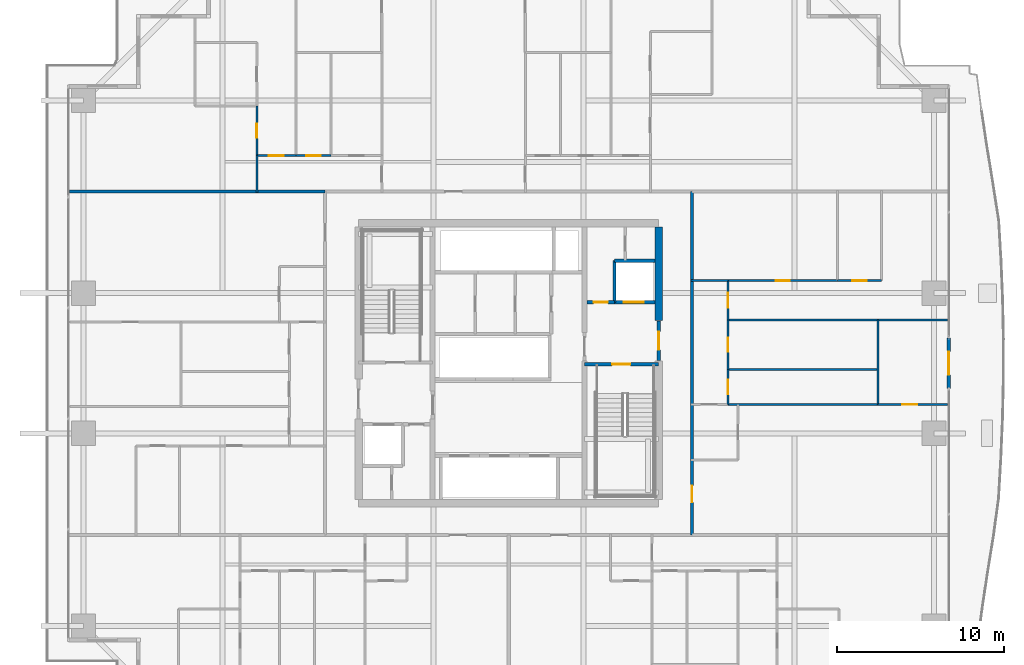
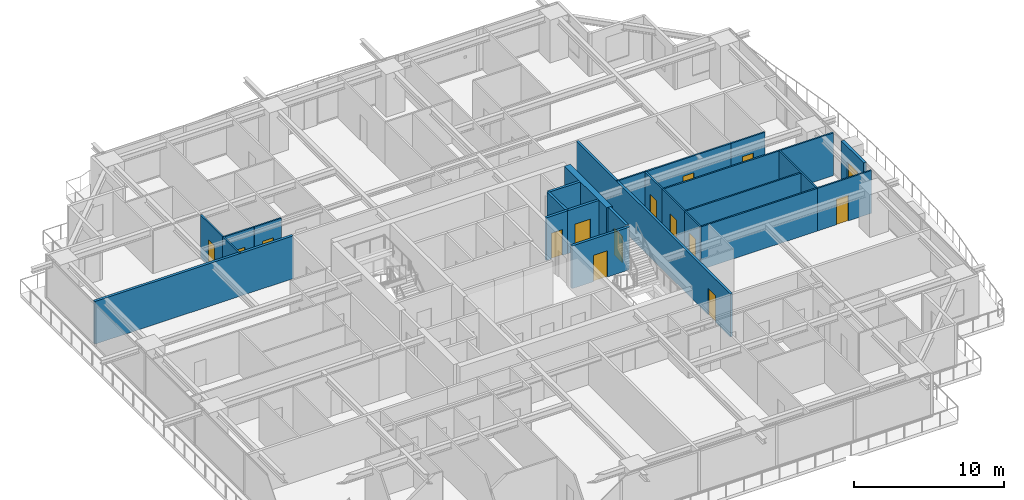
# One storey, part 30 of 39: 25 walls, 15 doors, 15 openings.
"""IFC4 building model written with IfcOpenShell, lengths in metres."""

from ifc_helpers import new_model, si_unit, direction, frame, frame_2d, origin, place, context, subcontext, project, spatial, rectangle, extrude, source, transform, mapped, material, layer, layer_set, type_object, element, fill, save


model = new_model("IFC4")

# Units and contexts
model_context = context("Model", 3, precision=1e-05, world=origin(), true_north=direction((0.0, 1.0)))
body_context = subcontext(model_context, "Body", "Model", "MODEL_VIEW")
ifc_project = project(units=[si_unit("LENGTHUNIT", "METRE"), si_unit("AREAUNIT", "SQUARE_METRE"), si_unit("VOLUMEUNIT", "CUBIC_METRE"), si_unit("PLANEANGLEUNIT", "RADIAN"), si_unit("MASSUNIT", "GRAM", prefix="KILO")], contexts=[model_context])

# Site, building, storey
site_placement = place(None, origin())
site = spatial("IfcSite", under=ifc_project, at=site_placement, CompositionType="ELEMENT")
building_placement = place(site_placement, origin())
building = spatial("IfcBuilding", under=site, at=building_placement, Name="Serunith Strait Residences", CompositionType="ELEMENT")
storey_placement = place(building_placement, frame((0.0, 0.0, 97.949951171875)))
storey = spatial("IfcBuildingStorey", under=building, at=storey_placement, Name="L24", CompositionType="ELEMENT", Elevation=97.949951171875)

# Wall, opening, door
ifc_material_1 = material(Name="Pale-Champagne Aluminium Insulated Panel", Category="aluminium")
ifc_layer_1 = layer(ifc_material_1, 0.219970703125, Name="Pale-Champagne Aluminium Insulated Panel")
ifc_layer_set_1 = layer_set([ifc_layer_1], Name="Pale-Champagne Aluminium Insulated Panel")
wall_type_1 = type_object("IfcWallType", Name="EW-ALUM-220", PredefinedType="ELEMENTEDWALL", material=ifc_layer_set_1)
wall_1_placement = place(storey_placement, frame((58.800048828125, 23.699951171875, 0.0), z_axis=(0.0, 0.0, 1.0), x_axis=(0.0, 1.0, 0.0)))
wall_1 = element("IfcWall", 1, at=wall_1_placement, inside=storey, type_object=wall_type_1, Name="L24 E Facade Pier Wall", PredefinedType="ELEMENTEDWALL", context=body_context, shape_type="SweptSolid", body=[
    extrude(rectangle(XDim=3.0, YDim=0.219970703125, at=frame_2d((1.5, 0.0))), origin(), (0.0, 0.0, 1.0), 3.47509765625),
])
opening_1_placement = place(wall_1_placement, frame((0.800048828125, 0.0, 0.0)))
opening_1 = element("IfcOpeningElement", 2, at=opening_1_placement, cuts=wall_1, Name="Opening ED-04", PredefinedType="OPENING", context=body_context, shape_type="SweptSolid", body=[
    extrude(rectangle(XDim=1.39990234375, YDim=2.25, at=frame_2d((0.699951171875, 1.125))), frame((0.0, 0.1201171875, 0.0), z_axis=(0.0, -1.0, 0.0), x_axis=(1.0, 0.0, 0.0)), (0.0, 0.0, 1.0), 0.239990234375),
])
ifc_material_2 = material(Name="Thermally-Broken Aluminium Sliding Balcony Door", Category="aluminium")
door_type_1 = type_object("IfcDoorType", Name="ED-BALC-1400", OperationType="NOTDEFINED", PredefinedType="DOOR", material=ifc_material_2)
shared_shape_1 = source(origin(), body_context, "Body", "SweptSolid", [
    extrude(rectangle(XDim=1.39990234375, YDim=2.25, at=frame_2d((0.699951171875, 1.125))), frame((0.0, 0.02490234375, 0.0), z_axis=(0.0, -1.0, 0.0), x_axis=(1.0, 0.0, 0.0)), (0.0, 0.0, 1.0), 0.050048828125),
])
door_1_placement = place(opening_1_placement, origin())
door_1 = element("IfcDoor", 3, at=door_1_placement, inside=storey, type_object=door_type_1, Name="L24 E Vertical-Forest Balcony Door", OperationType="SLIDING_TO_LEFT", OverallHeight=2.25, OverallWidth=1.39990234375, PredefinedType="DOOR", context=body_context, shape_type="MappedRepresentation", body=[
    mapped(shared_shape_1, transform((0.0, 0.0, 0.0), scale=1.0)),
])
fill(opening_1, door_1)

ifc_material_3 = material(Name="Fire-rated acoustic gypsum partition")
ifc_layer_2 = layer(ifc_material_3, 0.179931640625, Name="Fire-rated acoustic gypsum partition")
ifc_layer_set_2 = layer_set([ifc_layer_2], Name="Fire-rated acoustic gypsum partition")
wall_type_2 = type_object("IfcWallType", Name="IW-CORR-180", PredefinedType="PARTITIONING", material=ifc_layer_set_2)
wall_2_placement = place(storey_placement, frame((43.39990234375, 14.89990234375, 0.0), z_axis=(0.0, 0.0, 1.0), x_axis=(0.0, 1.0, 0.0)))
wall_2 = element("IfcWall", 4, at=wall_2_placement, inside=storey, type_object=wall_type_2, Name="L24 Partition Wall 025", PredefinedType="PARTITIONING", context=body_context, shape_type="SweptSolid", body=[
    extrude(rectangle(XDim=20.60009765625, YDim=0.179931640625, at=frame_2d((10.300048828125, 0.0))), origin(), (0.0, 0.0, 1.0), 3.489990234375),
])
opening_2_placement = place(wall_2_placement, frame((1.9599609375, 0.0, 0.0)))
opening_2 = element("IfcOpeningElement", 5, at=opening_2_placement, cuts=wall_2, Name="Opening D-APT1000", PredefinedType="OPENING", context=body_context, shape_type="SweptSolid", body=[
    extrude(rectangle(XDim=1.0, YDim=2.14990234375, at=frame_2d((0.5, 1.074951171875))), frame((0.0, 0.10009765625, 0.0), z_axis=(0.0, -1.0, 0.0), x_axis=(1.0, 0.0, 0.0)), (0.0, 0.0, 1.0), 0.199951171875),
])
ifc_material_4 = material(Name="Solid timber engineered fire door", Category="wood")
door_type_2 = type_object("IfcDoorType", Name="ID-APT-1000", OperationType="NOTDEFINED", PredefinedType="DOOR", material=ifc_material_4)
shared_shape_2 = source(origin(), body_context, "Body", "SweptSolid", [
    extrude(rectangle(XDim=1.0, YDim=2.14990234375, at=frame_2d((0.5, 1.074951171875))), frame((0.0, 0.02490234375, 0.0), z_axis=(0.0, -1.0, 0.0), x_axis=(1.0, 0.0, 0.0)), (0.0, 0.0, 1.0), 0.050048828125),
])
door_2_placement = place(opening_2_placement, origin())
door_2 = element("IfcDoor", 6, at=door_2_placement, inside=storey, type_object=door_type_2, Name="L24 Unit 05 Entrance Door", OperationType="SINGLE_SWING_LEFT", OverallHeight=2.14990234375, OverallWidth=1.0, PredefinedType="DOOR", context=body_context, shape_type="MappedRepresentation", body=[
    mapped(shared_shape_2, transform((0.0, 0.0, 0.0), scale=1.0)),
])
fill(opening_2, door_2)

ifc_material_5 = material(Name="Lightweight steel-stud gypsum partition", Category="steel")
ifc_layer_3 = layer(ifc_material_5, 0.1201171875, Name="Lightweight steel-stud gypsum partition")
ifc_layer_set_3 = layer_set([ifc_layer_3], Name="Lightweight steel-stud gypsum partition")
wall_type_3 = type_object("IfcWallType", Name="IW-PART-120", PredefinedType="PARTITIONING", material=ifc_layer_set_3)
wall_3_placement = place(storey_placement, frame((19.64990234375, 37.64990234375, 0.0), z_axis=(0.0, 0.0, 1.0), x_axis=(1.0, 0.0, 0.0)))
wall_3 = element("IfcWall", 7, at=wall_3_placement, inside=storey, type_object=wall_type_3, Name="L24 Partition Wall 066", PredefinedType="PARTITIONING", context=body_context, shape_type="SweptSolid", body=[
    extrude(rectangle(XDim=2.10009765625, YDim=0.1201171875, at=frame_2d((1.050048828125, 0.0))), origin(), (0.0, 0.0, 1.0), 3.489990234375),
])
opening_3_placement = place(wall_3_placement, frame((0.625, 0.0, 0.0)))
opening_3 = element("IfcOpeningElement", 8, at=opening_3_placement, cuts=wall_3, Name="Opening D-BTH850", PredefinedType="OPENING", context=body_context, shape_type="SweptSolid", body=[
    extrude(rectangle(XDim=0.85009765625, YDim=2.10009765625, at=frame_2d((0.425048828125, 1.050048828125))), frame((0.0, 0.070068359375, 0.0), z_axis=(0.0, -1.0, 0.0), x_axis=(1.0, 0.0, 0.0)), (0.0, 0.0, 1.0), 0.14013671875),
])
ifc_material_6 = material(Name="Moisture-resistant timber bathroom door", Category="wood")
door_type_3 = type_object("IfcDoorType", Name="ID-BATH-850", OperationType="NOTDEFINED", PredefinedType="DOOR", material=ifc_material_6)
shared_shape_3 = source(origin(), body_context, "Body", "SweptSolid", [
    extrude(rectangle(XDim=0.85009765625, YDim=2.10009765625, at=frame_2d((0.425048828125, 1.050048828125))), frame((0.0, 0.02490234375, 0.0), z_axis=(0.0, -1.0, 0.0), x_axis=(1.0, 0.0, 0.0)), (0.0, 0.0, 1.0), 0.050048828125),
])
door_3_placement = place(opening_3_placement, origin())
door_3 = element("IfcDoor", 9, at=door_3_placement, inside=storey, type_object=door_type_3, Name="L24 Bathroom 2403 Door", OperationType="SINGLE_SWING_RIGHT", OverallHeight=2.10009765625, OverallWidth=0.85009765625, PredefinedType="DOOR", context=body_context, shape_type="MappedRepresentation", body=[
    mapped(shared_shape_3, transform((0.0, 0.0, 0.0), scale=1.0)),
])
fill(opening_3, door_3)

wall_4_placement = place(storey_placement, frame((17.300048828125, 37.64990234375, 0.0), z_axis=(0.0, 0.0, 1.0), x_axis=(1.0, 0.0, 0.0)))
wall_4 = element("IfcWall", 10, at=wall_4_placement, inside=storey, type_object=wall_type_3, Name="L24 Partition Wall 068", PredefinedType="PARTITIONING", context=body_context, shape_type="SweptSolid", body=[
    extrude(rectangle(XDim=2.347900390625, YDim=0.1201171875, at=frame_2d((1.173828125, 0.0))), origin(), (0.0, 0.0, 1.0), 3.489990234375),
])
opening_4_placement = place(wall_4_placement, frame((0.72412109375, 0.0, 0.0)))
opening_4 = element("IfcOpeningElement", 11, at=opening_4_placement, cuts=wall_4, Name="Opening D-RM900", PredefinedType="OPENING", context=body_context, shape_type="SweptSolid", body=[
    extrude(rectangle(XDim=0.89990234375, YDim=2.10009765625, at=frame_2d((0.449951171875, 1.050048828125))), frame((0.0, 0.070068359375, 0.0), z_axis=(0.0, -1.0, 0.0), x_axis=(1.0, 0.0, 0.0)), (0.0, 0.0, 1.0), 0.14013671875),
])
ifc_material_7 = material(Name="Engineered timber flush bedroom door", Category="wood")
door_type_4 = type_object("IfcDoorType", Name="ID-ROOM-900", OperationType="NOTDEFINED", PredefinedType="DOOR", material=ifc_material_7)
shared_shape_4 = source(origin(), body_context, "Body", "SweptSolid", [
    extrude(rectangle(XDim=0.89990234375, YDim=2.10009765625, at=frame_2d((0.449951171875, 1.050048828125))), frame((0.0, 0.02490234375, 0.0), z_axis=(0.0, -1.0, 0.0), x_axis=(1.0, 0.0, 0.0)), (0.0, 0.0, 1.0), 0.050048828125),
])
door_4_placement = place(opening_4_placement, origin())
door_4 = element("IfcDoor", 12, at=door_4_placement, inside=storey, type_object=door_type_4, Name="L24 Master Bedroom W 2403 Door", OperationType="SINGLE_SWING_RIGHT", OverallHeight=2.10009765625, OverallWidth=0.89990234375, PredefinedType="DOOR", context=body_context, shape_type="MappedRepresentation", body=[
    mapped(shared_shape_4, transform((0.0, 0.0, 0.0), scale=1.0)),
])
fill(opening_4, door_4)

wall_5_placement = place(storey_placement, frame((17.300048828125, 40.635986328125, 0.0), z_axis=(0.0, 0.0, 1.0), x_axis=(0.0, -1.0, 0.0)))
wall_5 = element("IfcWall", 13, at=wall_5_placement, inside=storey, type_object=wall_type_3, Name="L24 Partition Wall 073", PredefinedType="PARTITIONING", context=body_context, shape_type="SweptSolid", body=[
    extrude(rectangle(XDim=2.986083984375, YDim=0.1201171875, at=frame_2d((1.4931640625, 0.0))), origin(), (0.0, 0.0, 1.0), 3.489990234375),
])
opening_5_placement = place(wall_5_placement, frame((1.068115234375, 0.0, 0.0)))
opening_5 = element("IfcOpeningElement", 14, at=opening_5_placement, cuts=wall_5, Name="Opening D-RM850", PredefinedType="OPENING", context=body_context, shape_type="SweptSolid", body=[
    extrude(rectangle(XDim=0.85009765625, YDim=2.10009765625, at=frame_2d((0.425048828125, 1.050048828125))), frame((0.0, 0.070068359375, 0.0), z_axis=(0.0, -1.0, 0.0), x_axis=(1.0, 0.0, 0.0)), (0.0, 0.0, 1.0), 0.14013671875),
])
ifc_material_8 = material(Name="Engineered timber flush study and kitchen door", Category="wood")
door_type_5 = type_object("IfcDoorType", Name="ID-ROOM-850", OperationType="NOTDEFINED", PredefinedType="DOOR", material=ifc_material_8)
door_5_placement = place(opening_5_placement, origin())
door_5 = element("IfcDoor", 15, at=door_5_placement, inside=storey, type_object=door_type_5, Name="L24 Wardrobe W 2403 Door", OperationType="SINGLE_SWING_RIGHT", OverallHeight=2.10009765625, OverallWidth=0.85009765625, PredefinedType="DOOR", context=body_context, shape_type="MappedRepresentation", body=[
    mapped(shared_shape_3, transform((0.0, 0.0, 0.0), scale=1.0)),
])
fill(opening_5, door_5)

# Wall
wall_6_placement = place(storey_placement, frame((17.300048828125, 37.64794921875, 0.0), z_axis=(0.0, 0.0, 1.0), x_axis=(0.0, -1.0, 0.0)))
element("IfcWall", 16, at=wall_6_placement, inside=storey, type_object=wall_type_3, Name="L24 Partition Wall 074", PredefinedType="PARTITIONING", context=body_context, shape_type="SweptSolid", body=[
    extrude(rectangle(XDim=2.2080078125, YDim=0.1201171875, at=frame_2d((1.10400390625, 0.0))), origin(), (0.0, 0.0, 1.0), 3.489990234375),
])

# Wall, opening, door
wall_7_placement = place(storey_placement, frame((58.705078125, 22.72998046875, 0.0), z_axis=(0.0, 0.0, 1.0), x_axis=(-1.0, 0.0, 0.0)))
wall_7 = element("IfcWall", 17, at=wall_7_placement, inside=storey, type_object=wall_type_3, Name="L24 Partition Wall 109", PredefinedType="PARTITIONING", context=body_context, shape_type="SweptSolid", body=[
    extrude(rectangle(XDim=4.1650390625, YDim=0.1201171875, at=frame_2d((2.08251953125, 0.0))), origin(), (0.0, 0.0, 1.0), 3.489990234375),
])
opening_6_placement = place(wall_7_placement, frame((1.7958984375, 0.0, 0.0)))
opening_6 = element("IfcOpeningElement", 18, at=opening_6_placement, cuts=wall_7, Name="Opening D-RM900", PredefinedType="OPENING", context=body_context, shape_type="SweptSolid", body=[
    extrude(rectangle(XDim=0.89990234375, YDim=2.10009765625, at=frame_2d((0.449951171875, 1.050048828125))), frame((0.0, 0.070068359375, 0.0), z_axis=(0.0, -1.0, 0.0), x_axis=(1.0, 0.0, 0.0)), (0.0, 0.0, 1.0), 0.14013671875),
])
door_6_placement = place(opening_6_placement, origin())
door_6 = element("IfcDoor", 19, at=door_6_placement, inside=storey, type_object=door_type_4, Name="L24 Study 1 2405 Door", OperationType="SINGLE_SWING_RIGHT", OverallHeight=2.10009765625, OverallWidth=0.89990234375, PredefinedType="DOOR", context=body_context, shape_type="MappedRepresentation", body=[
    mapped(shared_shape_4, transform((0.0, 0.0, 0.0), scale=1.0)),
])
fill(opening_6, door_6)

# Walls
wall_8_placement = place(storey_placement, frame((54.5380859375, 22.72998046875, 0.0), z_axis=(0.0, 0.0, 1.0), x_axis=(-1.0, 0.0, 0.0)))
element("IfcWall", 20, at=wall_8_placement, inside=storey, type_object=wall_type_3, Name="L24 Partition Wall 110", PredefinedType="PARTITIONING", context=body_context, shape_type="SweptSolid", body=[
    extrude(rectangle(XDim=8.986083984375, YDim=0.1201171875, at=frame_2d((4.4931640625, 0.0))), origin(), (0.0, 0.0, 1.0), 3.489990234375),
])
wall_9_placement = place(storey_placement, frame((54.5400390625, 22.72998046875, 0.0), z_axis=(0.0, 0.0, 1.0), x_axis=(0.0, 1.0, 0.0)))
element("IfcWall", 21, at=wall_9_placement, inside=storey, type_object=wall_type_3, Name="L24 Partition Wall 111", PredefinedType="PARTITIONING", context=body_context, shape_type="SweptSolid", body=[
    extrude(rectangle(XDim=5.070068359375, YDim=0.1201171875, at=frame_2d((2.53515625, 0.0))), origin(), (0.0, 0.0, 1.0), 3.489990234375),
])
wall_10_placement = place(storey_placement, frame((58.705078125, 27.800048828125, 0.0), z_axis=(0.0, 0.0, 1.0), x_axis=(-1.0, 0.0, 0.0)))
element("IfcWall", 22, at=wall_10_placement, inside=storey, type_object=wall_type_3, Name="L24 Partition Wall 112", PredefinedType="PARTITIONING", context=body_context, shape_type="SweptSolid", body=[
    extrude(rectangle(XDim=13.155029296875, YDim=0.1201171875, at=frame_2d((6.57763671875, 0.0))), origin(), (0.0, 0.0, 1.0), 3.489990234375),
])
wall_11_placement = place(storey_placement, frame((54.5400390625, 24.830078125, 0.0), z_axis=(0.0, 0.0, 1.0), x_axis=(-1.0, 0.0, 0.0)))
element("IfcWall", 23, at=wall_11_placement, inside=storey, type_object=wall_type_3, Name="L24 Partition Wall 113", PredefinedType="PARTITIONING", context=body_context, shape_type="SweptSolid", body=[
    extrude(rectangle(XDim=8.989990234375, YDim=0.1201171875, at=frame_2d((4.4951171875, 0.0))), origin(), (0.0, 0.0, 1.0), 3.489990234375),
])

# Wall, opening, door
wall_12_placement = place(storey_placement, frame((45.550048828125, 22.72998046875, 0.0), z_axis=(0.0, 0.0, 1.0), x_axis=(0.0, 1.0, 0.0)))
wall_12 = element("IfcWall", 24, at=wall_12_placement, inside=storey, type_object=wall_type_3, Name="L24 Partition Wall 114", PredefinedType="PARTITIONING", context=body_context, shape_type="SweptSolid", body=[
    extrude(rectangle(XDim=2.10009765625, YDim=0.1201171875, at=frame_2d((1.050048828125, 0.0))), origin(), (0.0, 0.0, 1.0), 3.489990234375),
])
opening_7_placement = place(wall_12_placement, frame((0.625, 0.0, 0.0)))
opening_7 = element("IfcOpeningElement", 25, at=opening_7_placement, cuts=wall_12, Name="Opening D-BTH850", PredefinedType="OPENING", context=body_context, shape_type="SweptSolid", body=[
    extrude(rectangle(XDim=0.85009765625, YDim=2.10009765625, at=frame_2d((0.425048828125, 1.050048828125))), frame((0.0, 0.070068359375, 0.0), z_axis=(0.0, -1.0, 0.0), x_axis=(1.0, 0.0, 0.0)), (0.0, 0.0, 1.0), 0.14013671875),
])
door_7_placement = place(opening_7_placement, origin())
door_7 = element("IfcDoor", 26, at=door_7_placement, inside=storey, type_object=door_type_3, Name="L24 Bathroom 2405 Door", OperationType="SINGLE_SWING_LEFT", OverallHeight=2.10009765625, OverallWidth=0.85009765625, PredefinedType="DOOR", context=body_context, shape_type="MappedRepresentation", body=[
    mapped(shared_shape_3, transform((0.0, 0.0, 0.0), scale=1.0)),
])
fill(opening_7, door_7)

wall_13_placement = place(storey_placement, frame((45.550048828125, 24.83203125, 0.0), z_axis=(0.0, 0.0, 1.0), x_axis=(0.0, 1.0, 0.0)))
wall_13 = element("IfcWall", 27, at=wall_13_placement, inside=storey, type_object=wall_type_3, Name="L24 Partition Wall 115", PredefinedType="PARTITIONING", context=body_context, shape_type="SweptSolid", body=[
    extrude(rectangle(XDim=2.968017578125, YDim=0.1201171875, at=frame_2d((1.48388671875, 0.0))), origin(), (0.0, 0.0, 1.0), 3.489990234375),
])
opening_8_placement = place(wall_13_placement, frame((1.05908203125, 0.0, 0.0)))
opening_8 = element("IfcOpeningElement", 28, at=opening_8_placement, cuts=wall_13, Name="Opening D-RM850", PredefinedType="OPENING", context=body_context, shape_type="SweptSolid", body=[
    extrude(rectangle(XDim=0.85009765625, YDim=2.10009765625, at=frame_2d((0.425048828125, 1.050048828125))), frame((0.0, 0.070068359375, 0.0), z_axis=(0.0, -1.0, 0.0), x_axis=(1.0, 0.0, 0.0)), (0.0, 0.0, 1.0), 0.14013671875),
])
door_8_placement = place(opening_8_placement, origin())
door_8 = element("IfcDoor", 29, at=door_8_placement, inside=storey, type_object=door_type_5, Name="L24 Study 2405 Door", OperationType="SINGLE_SWING_RIGHT", OverallHeight=2.10009765625, OverallWidth=0.85009765625, PredefinedType="DOOR", context=body_context, shape_type="MappedRepresentation", body=[
    mapped(shared_shape_3, transform((0.0, 0.0, 0.0), scale=1.0)),
])
fill(opening_8, door_8)

wall_14_placement = place(storey_placement, frame((45.550048828125, 27.802001953125, 0.0), z_axis=(0.0, 0.0, 1.0), x_axis=(0.0, 1.0, 0.0)))
wall_14 = element("IfcWall", 30, at=wall_14_placement, inside=storey, type_object=wall_type_3, Name="L24 Partition Wall 116", PredefinedType="PARTITIONING", context=body_context, shape_type="SweptSolid", body=[
    extrude(rectangle(XDim=2.347900390625, YDim=0.1201171875, at=frame_2d((1.173828125, 0.0))), origin(), (0.0, 0.0, 1.0), 3.489990234375),
])
opening_9_placement = place(wall_14_placement, frame((0.72412109375, 0.0, 0.0)))
opening_9 = element("IfcOpeningElement", 31, at=opening_9_placement, cuts=wall_14, Name="Opening D-RM900", PredefinedType="OPENING", context=body_context, shape_type="SweptSolid", body=[
    extrude(rectangle(XDim=0.89990234375, YDim=2.10009765625, at=frame_2d((0.449951171875, 1.050048828125))), frame((0.0, 0.070068359375, 0.0), z_axis=(0.0, -1.0, 0.0), x_axis=(1.0, 0.0, 0.0)), (0.0, 0.0, 1.0), 0.14013671875),
])
door_9_placement = place(opening_9_placement, origin())
door_9 = element("IfcDoor", 32, at=door_9_placement, inside=storey, type_object=door_type_4, Name="L24 Master Bedroom E 2405 Door", OperationType="SINGLE_SWING_LEFT", OverallHeight=2.10009765625, OverallWidth=0.89990234375, PredefinedType="DOOR", context=body_context, shape_type="MappedRepresentation", body=[
    mapped(shared_shape_4, transform((0.0, 0.0, 0.0), scale=1.0)),
])
fill(opening_9, door_9)

wall_15_placement = place(storey_placement, frame((54.75, 30.14990234375, 0.0), z_axis=(0.0, 0.0, 1.0), x_axis=(-1.0, 0.0, 0.0)))
wall_15 = element("IfcWall", 33, at=wall_15_placement, inside=storey, type_object=wall_type_3, Name="L24 Partition Wall 119", PredefinedType="PARTITIONING", context=body_context, shape_type="SweptSolid", body=[
    extrude(rectangle(XDim=2.616943359375, YDim=0.1201171875, at=frame_2d((1.30859375, 0.0))), origin(), (0.0, 0.0, 1.0), 3.489990234375),
])
opening_10_placement = place(wall_15_placement, frame((0.883056640625, 0.0, 0.0)))
opening_10 = element("IfcOpeningElement", 34, at=opening_10_placement, cuts=wall_15, Name="Opening D-BTH850", PredefinedType="OPENING", context=body_context, shape_type="SweptSolid", body=[
    extrude(rectangle(XDim=0.85009765625, YDim=2.10009765625, at=frame_2d((0.425048828125, 1.050048828125))), frame((0.0, 0.070068359375, 0.0), z_axis=(0.0, -1.0, 0.0), x_axis=(1.0, 0.0, 0.0)), (0.0, 0.0, 1.0), 0.14013671875),
])
door_10_placement = place(opening_10_placement, origin())
door_10 = element("IfcDoor", 35, at=door_10_placement, inside=storey, type_object=door_type_3, Name="L24 En-suite Bathroom E 2405 Door", OperationType="SINGLE_SWING_RIGHT", OverallHeight=2.10009765625, OverallWidth=0.85009765625, PredefinedType="DOOR", context=body_context, shape_type="MappedRepresentation", body=[
    mapped(shared_shape_3, transform((0.0, 0.0, 0.0), scale=1.0)),
])
fill(opening_10, door_10)

wall_16_placement = place(storey_placement, frame((52.131103515625, 30.14990234375, 0.0), z_axis=(0.0, 0.0, 1.0), x_axis=(-1.0, 0.0, 0.0)))
wall_16 = element("IfcWall", 36, at=wall_16_placement, inside=storey, type_object=wall_type_3, Name="L24 Partition Wall 120", PredefinedType="PARTITIONING", context=body_context, shape_type="SweptSolid", body=[
    extrude(rectangle(XDim=6.5810546875, YDim=0.1201171875, at=frame_2d((3.29052734375, 0.0))), origin(), (0.0, 0.0, 1.0), 3.489990234375),
])
opening_11_placement = place(wall_16_placement, frame((2.865966796875, 0.0, 0.0)))
opening_11 = element("IfcOpeningElement", 37, at=opening_11_placement, cuts=wall_16, Name="Opening D-RM850", PredefinedType="OPENING", context=body_context, shape_type="SweptSolid", body=[
    extrude(rectangle(XDim=0.85009765625, YDim=2.10009765625, at=frame_2d((0.425048828125, 1.050048828125))), frame((0.0, 0.070068359375, 0.0), z_axis=(0.0, -1.0, 0.0), x_axis=(1.0, 0.0, 0.0)), (0.0, 0.0, 1.0), 0.14013671875),
])
door_11_placement = place(opening_11_placement, origin())
door_11 = element("IfcDoor", 38, at=door_11_placement, inside=storey, type_object=door_type_5, Name="L24 Wardrobe E 2405 Door", OperationType="SINGLE_SWING_LEFT", OverallHeight=2.10009765625, OverallWidth=0.85009765625, PredefinedType="DOOR", context=body_context, shape_type="MappedRepresentation", body=[
    mapped(shared_shape_3, transform((0.0, 0.0, 0.0), scale=1.0)),
])
fill(opening_11, door_11)

# Walls
wall_17_placement = place(storey_placement, frame((45.548095703125, 30.14990234375, 0.0), z_axis=(0.0, 0.0, 1.0), x_axis=(-1.0, 0.0, 0.0)))
element("IfcWall", 39, at=wall_17_placement, inside=storey, type_object=wall_type_3, Name="L24 Partition Wall 121", PredefinedType="PARTITIONING", context=body_context, shape_type="SweptSolid", body=[
    extrude(rectangle(XDim=2.2080078125, YDim=0.1201171875, at=frame_2d((1.10400390625, 0.0))), origin(), (0.0, 0.0, 1.0), 3.489990234375),
])
ifc_material_9 = material(Name="Twin-stud acoustic gypsum board partition")
ifc_layer_4 = layer(ifc_material_9, 0.199951171875, Name="Twin-stud acoustic gypsum board partition")
ifc_layer_set_4 = layer_set([ifc_layer_4], Name="Twin-stud acoustic gypsum board partition")
wall_type_4 = type_object("IfcWallType", Name="IW-PARTY-200", PredefinedType="PARTITIONING", material=ifc_layer_set_4)
wall_18_placement = place(storey_placement, frame((6.08203125, 35.5, 0.0), z_axis=(0.0, 0.0, 1.0), x_axis=(1.0, 0.0, 0.0)))
element("IfcWall", 40, at=wall_18_placement, inside=storey, type_object=wall_type_4, Name="L24 Partition Wall 020", PredefinedType="PARTITIONING", context=body_context, shape_type="SweptSolid", body=[
    extrude(rectangle(XDim=15.31787109375, YDim=0.199951171875, at=frame_2d((7.658935546875, 0.0))), origin(), (0.0, 0.0, 1.0), 3.489990234375),
])

# Wall, opening, door
ifc_material_10 = material(Name="Autoclaved aerated concrete blockwork", Category="masonry")
ifc_layer_5 = layer(ifc_material_10, 0.199951171875, Name="Autoclaved aerated concrete blockwork")
ifc_layer_set_5 = layer_set([ifc_layer_5], Name="Autoclaved aerated concrete blockwork")
wall_type_5 = type_object("IfcWallType", Name="IW-SHAFT-200", PredefinedType="STANDARD", material=ifc_layer_set_5)
wall_19_placement = place(storey_placement, frame((36.949951171875, 25.14990234375, 0.0), z_axis=(0.0, 0.0, 1.0), x_axis=(1.0, 0.0, 0.0)))
wall_19 = element("IfcWall", 41, at=wall_19_placement, inside=storey, type_object=wall_type_5, Name="L24 ST-2 North Shaft Wall", PredefinedType="STANDARD", context=body_context, shape_type="SweptSolid", body=[
    extrude(rectangle(XDim=4.449951171875, YDim=0.199951171875, at=frame_2d((2.22509765625, 0.0))), origin(), (0.0, 0.0, 1.0), 3.489990234375),
])
opening_12_placement = place(wall_19_placement, frame((1.64990234375, 0.0, 0.0)))
opening_12 = element("IfcOpeningElement", 42, at=opening_12_placement, cuts=wall_19, Name="Opening FD-1100", PredefinedType="OPENING", context=body_context, shape_type="SweptSolid", body=[
    extrude(rectangle(XDim=1.10009765625, YDim=2.14990234375, at=frame_2d((0.550048828125, 1.074951171875))), frame((0.0, 0.10986328125, 0.0), z_axis=(0.0, -1.0, 0.0), x_axis=(1.0, 0.0, 0.0)), (0.0, 0.0, 1.0), 0.219970703125),
])
ifc_material_11 = material(Name="Galvanised steel fire door leaf", Category="steel")
door_type_6 = type_object("IfcDoorType", Name="FD-STAIR-1100", OperationType="NOTDEFINED", PredefinedType="DOOR", material=ifc_material_11)
shared_shape_5 = source(origin(), body_context, "Body", "SweptSolid", [
    extrude(rectangle(XDim=1.10009765625, YDim=2.14990234375, at=frame_2d((0.550048828125, 1.074951171875))), frame((0.0, 0.02490234375, 0.0), z_axis=(0.0, -1.0, 0.0), x_axis=(1.0, 0.0, 0.0)), (0.0, 0.0, 1.0), 0.050048828125),
])
door_12_placement = place(opening_12_placement, origin())
door_12 = element("IfcDoor", 43, at=door_12_placement, inside=storey, type_object=door_type_6, Name="L24 ST-2 Escape Stair Door", OperationType="SINGLE_SWING_LEFT", OverallHeight=2.14990234375, OverallWidth=1.10009765625, PredefinedType="DOOR", context=body_context, shape_type="MappedRepresentation", body=[
    mapped(shared_shape_5, transform((0.0, 0.0, 0.0), scale=1.0)),
])
fill(opening_12, door_12)

wall_20_placement = place(storey_placement, frame((38.75, 28.85009765625, 0.0), z_axis=(0.0, 0.0, 1.0), x_axis=(1.0, 0.0, 0.0)))
wall_20 = element("IfcWall", 44, at=wall_20_placement, inside=storey, type_object=wall_type_5, Name="L24 FL-2 South Shaft Wall", PredefinedType="STANDARD", context=body_context, shape_type="SweptSolid", body=[
    extrude(rectangle(XDim=2.425048828125, YDim=0.199951171875, at=frame_2d((1.21240234375, 0.0))), origin(), (0.0, 0.0, 1.0), 3.489990234375),
])
opening_13_placement = place(wall_20_placement, frame((0.550048828125, 0.0, 0.0)))
opening_13 = element("IfcOpeningElement", 45, at=opening_13_placement, cuts=wall_20, Name="Opening LD-FF1200", PredefinedType="OPENING", context=body_context, shape_type="SweptSolid", body=[
    extrude(rectangle(XDim=1.199951171875, YDim=2.199951171875, at=frame_2d((0.60009765625, 1.10009765625))), frame((0.0, 0.10986328125, 0.0), z_axis=(0.0, -1.0, 0.0), x_axis=(1.0, 0.0, 0.0)), (0.0, 0.0, 1.0), 0.219970703125),
])
ifc_material_12 = material(Name="Brushed stainless steel landing door", Category="steel")
door_type_7 = type_object("IfcDoorType", Name="LD-FF-1200", OperationType="DOUBLE_DOOR_SLIDING", PredefinedType="DOOR", material=ifc_material_12)
shared_shape_6 = source(origin(), body_context, "Body", "SweptSolid", [
    extrude(rectangle(XDim=1.199951171875, YDim=2.199951171875, at=frame_2d((0.60009765625, 1.10009765625))), frame((0.0, 0.02490234375, 0.0), z_axis=(0.0, -1.0, 0.0), x_axis=(1.0, 0.0, 0.0)), (0.0, 0.0, 1.0), 0.050048828125),
])
door_13_placement = place(opening_13_placement, origin())
door_13 = element("IfcDoor", 46, at=door_13_placement, inside=storey, type_object=door_type_7, Name="L24 FL-2 Landing Door", OperationType="DOUBLE_DOOR_SLIDING", OverallHeight=2.199951171875, OverallWidth=1.199951171875, PredefinedType="DOOR", context=body_context, shape_type="MappedRepresentation", body=[
    mapped(shared_shape_6, transform((0.0, 0.0, 0.0), scale=1.0)),
])
fill(opening_13, door_13)

# Walls
wall_21_placement = place(storey_placement, frame((38.75, 28.85009765625, 0.0), z_axis=(0.0, 0.0, 1.0), x_axis=(0.0, 1.0, 0.0)))
element("IfcWall", 47, at=wall_21_placement, inside=storey, type_object=wall_type_5, Name="L24 Partition Wall 004", PredefinedType="STANDARD", context=body_context, shape_type="SweptSolid", body=[
    extrude(rectangle(XDim=2.5, YDim=0.199951171875, at=frame_2d((1.25, 0.0))), origin(), (0.0, 0.0, 1.0), 3.489990234375),
])
wall_22_placement = place(storey_placement, frame((38.75, 31.35009765625, 0.0), z_axis=(0.0, 0.0, 1.0), x_axis=(1.0, 0.0, 0.0)))
element("IfcWall", 48, at=wall_22_placement, inside=storey, type_object=wall_type_5, Name="L24 Partition Wall 005", PredefinedType="STANDARD", context=body_context, shape_type="SweptSolid", body=[
    extrude(rectangle(XDim=2.425048828125, YDim=0.199951171875, at=frame_2d((1.21240234375, 0.0))), origin(), (0.0, 0.0, 1.0), 3.489990234375),
])

# Wall, opening, door
wall_23_placement = place(storey_placement, frame((37.10009765625, 28.85009765625, 0.0), z_axis=(0.0, 0.0, 1.0), x_axis=(1.0, 0.0, 0.0)))
wall_23 = element("IfcWall", 49, at=wall_23_placement, inside=storey, type_object=wall_type_5, Name="L24 Partition Wall 006", PredefinedType="STANDARD", context=body_context, shape_type="SweptSolid", body=[
    extrude(rectangle(XDim=1.64794921875, YDim=0.199951171875, at=frame_2d((0.823974609375, 0.0))), origin(), (0.0, 0.0, 1.0), 3.489990234375),
])
opening_14_placement = place(wall_23_placement, frame((0.39892578125, 0.0, 0.0)))
opening_14 = element("IfcOpeningElement", 50, at=opening_14_placement, cuts=wall_23, Name="Opening FD-850", PredefinedType="OPENING", context=body_context, shape_type="SweptSolid", body=[
    extrude(rectangle(XDim=0.85009765625, YDim=2.10009765625, at=frame_2d((0.425048828125, 1.050048828125))), frame((0.0, 0.10986328125, 0.0), z_axis=(0.0, -1.0, 0.0), x_axis=(1.0, 0.0, 0.0)), (0.0, 0.0, 1.0), 0.219970703125),
])
ifc_material_13 = material(Name="Powder-coated steel service closet door", Category="steel")
door_type_8 = type_object("IfcDoorType", Name="FD-BOH-850", OperationType="NOTDEFINED", PredefinedType="DOOR", material=ifc_material_13)
door_14_placement = place(opening_14_placement, origin())
door_14 = element("IfcDoor", 51, at=door_14_placement, inside=storey, type_object=door_type_8, Name="L24 North-East Core Service Door", OperationType="SINGLE_SWING_LEFT", OverallHeight=2.10009765625, OverallWidth=0.85009765625, PredefinedType="DOOR", context=body_context, shape_type="MappedRepresentation", body=[
    mapped(shared_shape_3, transform((0.0, 0.0, 0.0), scale=1.0)),
])
fill(opening_14, door_14)

wall_24_placement = place(storey_placement, frame((41.39990234375, 25.35205078125, 0.0), z_axis=(0.0, 0.0, 1.0), x_axis=(0.0, 1.0, 0.0)))
wall_24 = element("IfcWall", 52, at=wall_24_placement, inside=storey, type_object=wall_type_5, Name="L24 Partition Wall 008", PredefinedType="STANDARD", context=body_context, shape_type="SweptSolid", body=[
    extrude(rectangle(XDim=2.39599609375, YDim=0.199951171875, at=frame_2d((1.197998046875, 0.0))), origin(), (0.0, 0.0, 1.0), 3.489990234375),
])
opening_15_placement = place(wall_24_placement, frame((0.64794921875, 0.0, 0.0)))
opening_15 = element("IfcOpeningElement", 53, at=opening_15_placement, cuts=wall_24, Name="Opening FD-FFL", PredefinedType="OPENING", context=body_context, shape_type="SweptSolid", body=[
    extrude(rectangle(XDim=1.10009765625, YDim=2.14990234375, at=frame_2d((0.550048828125, 1.074951171875))), frame((0.0, 0.10986328125, 0.0), z_axis=(0.0, -1.0, 0.0), x_axis=(1.0, 0.0, 0.0)), (0.0, 0.0, 1.0), 0.219970703125),
])
ifc_material_14 = material(Name="Glazed steel smoke-lobby fire door", Category="steel")
door_type_9 = type_object("IfcDoorType", Name="FD-FFL-1100", OperationType="NOTDEFINED", PredefinedType="DOOR", material=ifc_material_14)
door_15_placement = place(opening_15_placement, origin())
door_15 = element("IfcDoor", 54, at=door_15_placement, inside=storey, type_object=door_type_9, Name="L24 FFL-2 Corridor Fire Door", OperationType="SINGLE_SWING_LEFT", OverallHeight=2.14990234375, OverallWidth=1.10009765625, PredefinedType="DOOR", context=body_context, shape_type="MappedRepresentation", body=[
    mapped(shared_shape_5, transform((0.0, 0.0, 0.0), scale=1.0)),
])
fill(opening_15, door_15)

# Wall
ifc_material_15 = material(Name="Concrete C80/95", Category="concrete")
ifc_layer_6 = layer(ifc_material_15, 0.449951171875, Name="Concrete C80/95")
ifc_layer_set_6 = layer_set([ifc_layer_6], Name="Concrete C80/95")
wall_type_6 = type_object("IfcWallType", Name="SW-450-C80", PredefinedType="SHEAR", material=ifc_layer_set_6)
wall_25_placement = place(storey_placement, frame((41.39990234375, 27.75, -0.260009765625), z_axis=(0.0, 0.0, 1.0), x_axis=(0.0, 1.0, 0.0)))
element("IfcWall", 55, at=wall_25_placement, inside=storey, type_object=wall_type_6, Name="L24 Core East Shear Wall North Pier", PredefinedType="SHEAR", context=body_context, shape_type="SweptSolid", body=[
    extrude(rectangle(XDim=5.625, YDim=0.449951171875, at=frame_2d((2.8125, 0.0))), origin(), (0.0, 0.0, 1.0), 3.748046875),
])

save(model, "model.ifc")
